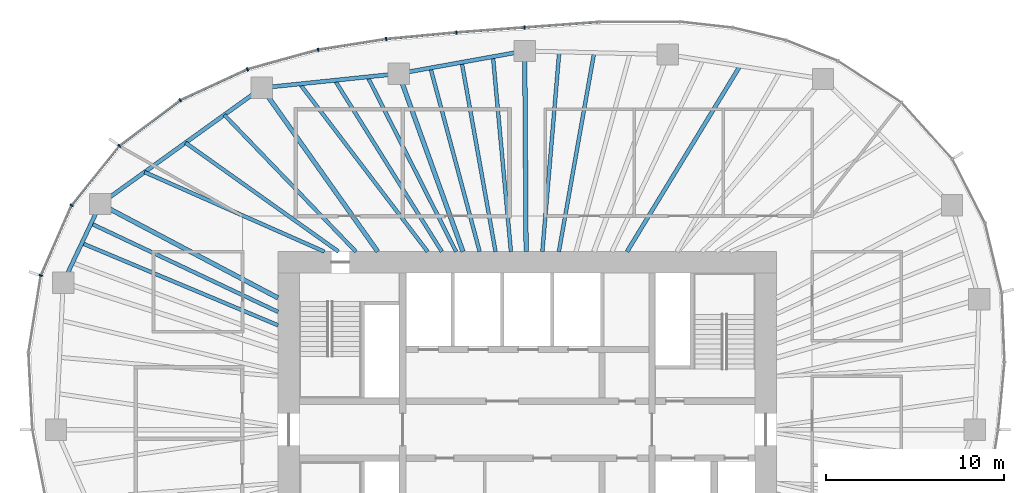
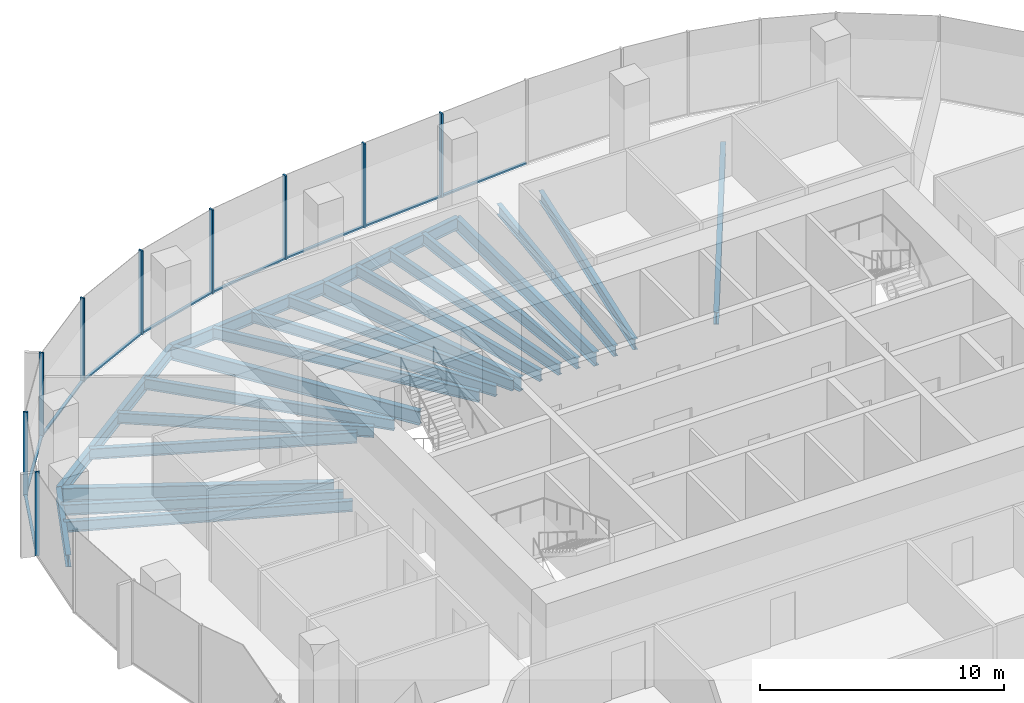
# One storey, part 5 of 11: 22 beams, 18 members, 6 elements without a shape of their own.
"""IFC4 building model written with IfcOpenShell, lengths in metres."""

from ifc_helpers import new_model, si_unit, direction, frame, origin, origin_2d, place, context, subcontext, project, spatial, rectangle, i_section, extrude, material, material_profile, profile_set, type_object, element, aggregate, save


model = new_model("IFC4")

# Units and contexts
model_context = context("Model", 3, precision=1e-05, world=origin(), true_north=direction((0.0, 1.0)))
body_context = subcontext(model_context, "Body", "Model", "MODEL_VIEW")
ifc_project = project(units=[si_unit("LENGTHUNIT", "METRE"), si_unit("AREAUNIT", "SQUARE_METRE"), si_unit("VOLUMEUNIT", "CUBIC_METRE"), si_unit("PLANEANGLEUNIT", "RADIAN"), si_unit("MASSUNIT", "GRAM", prefix="KILO")], contexts=[model_context])

# Site, building, storey
site_placement = place(None, origin())
site = spatial("IfcSite", under=ifc_project, at=site_placement, CompositionType="ELEMENT")
building_placement = place(site_placement, origin())
building = spatial("IfcBuilding", under=site, at=building_placement, Name="Ghaith Harvest Tower", CompositionType="ELEMENT")
storey_placement = place(building_placement, frame((0.0, 0.0, 241.0)))
storey = spatial("IfcBuildingStorey", under=building, at=storey_placement, Name="L53", CompositionType="ELEMENT", Elevation=241.0)

# Curtain wall, members
ifc_material_1 = material(Name="Black anodised aluminium and fritted glass", Category="aluminium")
curtain_wall_type = type_object("IfcCurtainWallType", Name="CW-H CURTAIN WALL", PredefinedType="NOTDEFINED", material=ifc_material_1)
curtain_wall_1_placement = place(storey_placement, origin())
curtain_wall_1 = element("IfcCurtainWall", 1, at=curtain_wall_1_placement, inside=storey, type_object=curtain_wall_type, Name="Curtain wall CW-H bay 06 L53", PredefinedType="NOTDEFINED")
ifc_material_2 = material(Name="Aluminium, black anodised", Category="aluminium")
ifc_material_profile_1 = material_profile(ifc_material_2, rectangle(XDim=0.080078125, YDim=0.199951171875, at=origin_2d()), Name="CW-H MULLION 80x200")
ifc_profile_set_1 = profile_set([ifc_material_profile_1], Name="Aluminium, black anodised")
member_type_1 = type_object("IfcMemberType", Name="CW-H MULLION 80x200", PredefinedType="MULLION", material=ifc_profile_set_1)
member_1_placement = place(storey_placement, frame((-0.154541015625, 22.590576171875, 0.0), z_axis=(0.0, 0.0, 1.0), x_axis=(-0.997329249665, -0.073036756239, 0.0)))
member_1 = element("IfcMember", 2, at=member_1_placement, type_object=member_type_1, Name="CW-H mullion 1 bay 06 L53", PredefinedType="MULLION", context=body_context, shape_type="SweptSolid", body=[
    extrude(rectangle(XDim=0.080078125, YDim=0.199951171875, at=origin_2d()), origin(), (0.0, 0.0, 1.0), 4.199951171875),
])
member_2_placement = place(storey_placement, frame((-3.984375, 22.310302734375, 0.0), z_axis=(0.0, 0.0, 1.0), x_axis=(-0.996522526822, -0.083323787336, 0.0)))
member_2 = element("IfcMember", 3, at=member_2_placement, type_object=member_type_1, Name="CW-H mullion 2 bay 06 L53", PredefinedType="MULLION", context=body_context, shape_type="SweptSolid", body=[
    extrude(rectangle(XDim=0.080078125, YDim=0.199951171875, at=origin_2d()), origin(), (0.0, 0.0, 1.0), 4.199951171875),
])

curtain_wall_2_placement = place(storey_placement, origin())
curtain_wall_2 = element("IfcCurtainWall", 4, at=curtain_wall_2_placement, inside=storey, type_object=curtain_wall_type, Name="Curtain wall CW-H bay 07 L53", PredefinedType="NOTDEFINED")
member_3_placement = place(storey_placement, frame((-7.924560546875, 21.94091796875, 0.0), z_axis=(0.0, 0.0, 1.0), x_axis=(-0.992235485325, -0.124373396119, 0.0)))
member_3 = element("IfcMember", 5, at=member_3_placement, type_object=member_type_1, Name="CW-H mullion 1 bay 07 L53", PredefinedType="MULLION", context=body_context, shape_type="SweptSolid", body=[
    extrude(rectangle(XDim=0.080078125, YDim=0.199951171875, at=origin_2d()), origin(), (0.0, 0.0, 1.0), 4.199951171875),
])
member_4_placement = place(storey_placement, frame((-11.75244140625, 21.336669921875, 0.0), z_axis=(0.0, 0.0, 1.0), x_axis=(-0.977086484172, -0.212842670646, 0.0)))
member_4 = element("IfcMember", 6, at=member_4_placement, type_object=member_type_1, Name="CW-H mullion 2 bay 07 L53", PredefinedType="MULLION", context=body_context, shape_type="SweptSolid", body=[
    extrude(rectangle(XDim=0.080078125, YDim=0.199951171875, at=origin_2d()), origin(), (0.0, 0.0, 1.0), 4.199951171875),
])

curtain_wall_3_placement = place(storey_placement, origin())
curtain_wall_3 = element("IfcCurtainWall", 7, at=curtain_wall_3_placement, inside=storey, type_object=curtain_wall_type, Name="Curtain wall CW-H bay 08 L53", PredefinedType="NOTDEFINED")
member_5_placement = place(storey_placement, frame((-15.720947265625, 20.242431640625, 0.0), z_axis=(0.0, 0.0, 1.0), x_axis=(-0.938930986476, -0.344105510906, 0.0)))
member_5 = element("IfcMember", 8, at=member_5_placement, type_object=member_type_1, Name="CW-H mullion 1 bay 08 L53", PredefinedType="MULLION", context=body_context, shape_type="SweptSolid", body=[
    extrude(rectangle(XDim=0.080078125, YDim=0.199951171875, at=origin_2d()), origin(), (0.0, 0.0, 1.0), 4.199951171875),
])
member_6_placement = place(storey_placement, frame((-19.4951171875, 18.4990234375, 0.0), z_axis=(0.0, 0.0, 1.0), x_axis=(-0.857998754004, -0.513651767376, 0.0)))
member_6 = element("IfcMember", 9, at=member_6_placement, type_object=member_type_1, Name="CW-H mullion 2 bay 08 L53", PredefinedType="MULLION", context=body_context, shape_type="SweptSolid", body=[
    extrude(rectangle(XDim=0.080078125, YDim=0.199951171875, at=origin_2d()), origin(), (0.0, 0.0, 1.0), 4.199951171875),
])

curtain_wall_4_placement = place(storey_placement, origin())
curtain_wall_4 = element("IfcCurtainWall", 10, at=curtain_wall_4_placement, inside=storey, type_object=curtain_wall_type, Name="Curtain wall CW-H bay 09 L53", PredefinedType="NOTDEFINED")
member_7_placement = place(storey_placement, frame((-22.908203125, 15.939697265625, 0.0), z_axis=(0.0, 0.0, 1.0), x_axis=(-0.719146135082, -0.694858860774, 0.0)))
member_7 = element("IfcMember", 11, at=member_7_placement, type_object=member_type_1, Name="CW-H mullion 1 bay 09 L53", PredefinedType="MULLION", context=body_context, shape_type="SweptSolid", body=[
    extrude(rectangle(XDim=0.080078125, YDim=0.199951171875, at=origin_2d()), origin(), (0.0, 0.0, 1.0), 4.199951171875),
])
member_8_placement = place(storey_placement, frame((-25.599609375, 12.6005859375, 0.0), z_axis=(0.0, 0.0, 1.0), x_axis=(-0.518769201232, -0.854914332464, 0.0)))
member_8 = element("IfcMember", 12, at=member_8_placement, type_object=member_type_1, Name="CW-H mullion 2 bay 09 L53", PredefinedType="MULLION", context=body_context, shape_type="SweptSolid", body=[
    extrude(rectangle(XDim=0.080078125, YDim=0.199951171875, at=origin_2d()), origin(), (0.0, 0.0, 1.0), 4.199951171875),
])

# Curtain wall, member
curtain_wall_5_placement = place(storey_placement, origin())
curtain_wall_5 = element("IfcCurtainWall", 13, at=curtain_wall_5_placement, inside=storey, type_object=curtain_wall_type, Name="Curtain wall CW-H bay 10 L53", PredefinedType="NOTDEFINED")
member_9_placement = place(storey_placement, frame((-27.32568359375, 8.659912109375, 0.0), z_axis=(0.0, 0.0, 1.0), x_axis=(-0.280520268431, -0.959848102045, 0.0)))
member_9 = element("IfcMember", 14, at=member_9_placement, type_object=member_type_1, Name="CW-H mullion 1 bay 10 L53", PredefinedType="MULLION", context=body_context, shape_type="SweptSolid", body=[
    extrude(rectangle(XDim=0.080078125, YDim=0.199951171875, at=origin_2d()), origin(), (0.0, 0.0, 1.0), 4.199951171875),
])
aggregate(curtain_wall_5, [member_9])

curtain_wall_6_placement = place(storey_placement, origin())
curtain_wall_6 = element("IfcCurtainWall", 15, at=curtain_wall_6_placement, inside=storey, type_object=curtain_wall_type, Name="Curtain wall CW-H bay 05 L53", PredefinedType="NOTDEFINED")
ifc_material_3 = material(Name="Aluminium, black anodised", Category="aluminium")
ifc_material_profile_2 = material_profile(ifc_material_3, rectangle(XDim=0.1298828125, YDim=0.080078125, at=origin_2d()), Name="CW-H TRANSOM 130x80")
ifc_profile_set_2 = profile_set([ifc_material_profile_2], Name="Aluminium, black anodised")
member_type_2 = type_object("IfcMemberType", Name="CW-H TRANSOM 130x80", PredefinedType="USERDEFINED", material=ifc_profile_set_2)
member_10_placement = place(storey_placement, frame((4.01953125, 22.896484375, 0.0400390625), z_axis=(-0.997325457985, -0.07308851384, 0.0), x_axis=(0.07308851384, -0.997325457985, 0.0)))
member_10 = element("IfcMember", 16, at=member_10_placement, type_object=member_type_2, Name="CW-H transom 2 bay 05 L53", ObjectType="TRANSOM", PredefinedType="USERDEFINED", context=body_context, shape_type="SweptSolid", body=[
    extrude(rectangle(XDim=0.1298828125, YDim=0.080078125, at=origin_2d()), origin(), (0.0, 0.0, 1.0), 4.145263671875),
])
aggregate(curtain_wall_6, [member_10])

# Member
member_11_placement = place(storey_placement, frame((-0.194580078125, 22.587646484375, 0.0400390625), z_axis=(-0.997332916649, -0.072986665689, 0.0), x_axis=(0.072986665689, -0.997332916649, 0.0)))
member_11 = element("IfcMember", 17, at=member_11_placement, type_object=member_type_2, Name="CW-H transom 1 bay 06 L53", ObjectType="TRANSOM", PredefinedType="USERDEFINED", context=body_context, shape_type="SweptSolid", body=[
    extrude(rectangle(XDim=0.1298828125, YDim=0.080078125, at=origin_2d()), origin(), (0.0, 0.0, 1.0), 3.759765625),
])

member_12_placement = place(storey_placement, frame((-4.024169921875, 22.306640625, 0.0400390625), z_axis=(-0.995631116984, -0.093373866217, 0.0), x_axis=(0.093373866217, -0.995631116984, 0.0)))
member_12 = element("IfcMember", 18, at=member_12_placement, type_object=member_type_2, Name="CW-H transom 2 bay 06 L53", ObjectType="TRANSOM", PredefinedType="USERDEFINED", context=body_context, shape_type="SweptSolid", body=[
    extrude(rectangle(XDim=0.1298828125, YDim=0.080078125, at=origin_2d()), origin(), (0.0, 0.0, 1.0), 3.87744140625),
])

aggregate(curtain_wall_1, [member_1, member_11, member_2, member_12])

member_13_placement = place(storey_placement, frame((-7.964111328125, 21.9345703125, 0.0400390625), z_axis=(-0.98776765914, -0.155932843097, 0.0), x_axis=(0.155932843097, -0.98776765914, 0.0)))
member_13 = element("IfcMember", 19, at=member_13_placement, type_object=member_type_2, Name="CW-H transom 1 bay 07 L53", ObjectType="TRANSOM", PredefinedType="USERDEFINED", context=body_context, shape_type="SweptSolid", body=[
    extrude(rectangle(XDim=0.1298828125, YDim=0.080078125, at=origin_2d()), origin(), (0.0, 0.0, 1.0), 3.795166015625),
])

member_14_placement = place(storey_placement, frame((-11.791015625, 21.325927734375, 0.0400390625), z_axis=(-0.964038584245, -0.265762315024, 0.0), x_axis=(0.265762315024, -0.964038584245, 0.0)))
member_14 = element("IfcMember", 20, at=member_14_placement, type_object=member_type_2, Name="CW-H transom 2 bay 07 L53", ObjectType="TRANSOM", PredefinedType="USERDEFINED", context=body_context, shape_type="SweptSolid", body=[
    extrude(rectangle(XDim=0.1298828125, YDim=0.080078125, at=origin_2d()), origin(), (0.0, 0.0, 1.0), 4.03662109375),
])

aggregate(curtain_wall_2, [member_3, member_13, member_4, member_14])

member_15_placement = place(storey_placement, frame((-15.75732421875, 20.2255859375, 0.0400390625), z_axis=(-0.907831404762, -0.419335355686, 0.0), x_axis=(0.419335355686, -0.907831404762, 0.0)))
member_15 = element("IfcMember", 21, at=member_15_placement, type_object=member_type_2, Name="CW-H transom 1 bay 08 L53", ObjectType="TRANSOM", PredefinedType="USERDEFINED", context=body_context, shape_type="SweptSolid", body=[
    extrude(rectangle(XDim=0.1298828125, YDim=0.080078125, at=origin_2d()), origin(), (0.0, 0.0, 1.0), 4.0771484375),
])

member_16_placement = place(storey_placement, frame((-19.527099609375, 18.47509765625, 0.0400390625), z_axis=(-0.800041988873, -0.599944010755, 0.0), x_axis=(0.599944010755, -0.800041988873, 0.0)))
member_16 = element("IfcMember", 22, at=member_16_placement, type_object=member_type_2, Name="CW-H transom 2 bay 08 L53", ObjectType="TRANSOM", PredefinedType="USERDEFINED", context=body_context, shape_type="SweptSolid", body=[
    extrude(rectangle(XDim=0.1298828125, YDim=0.080078125, at=origin_2d()), origin(), (0.0, 0.0, 1.0), 4.186279296875),
])

aggregate(curtain_wall_3, [member_5, member_15, member_6, member_16])

member_17_placement = place(storey_placement, frame((-22.933349609375, 15.90869140625, 0.0400390625), z_axis=(-0.6275347306, -0.778588570357, 0.0), x_axis=(0.778588570357, -0.6275347306, 0.0)))
member_17 = element("IfcMember", 23, at=member_17_placement, type_object=member_type_2, Name="CW-H transom 1 bay 09 L53", ObjectType="TRANSOM", PredefinedType="USERDEFINED", context=body_context, shape_type="SweptSolid", body=[
    extrude(rectangle(XDim=0.1298828125, YDim=0.080078125, at=origin_2d()), origin(), (0.0, 0.0, 1.0), 4.208740234375),
])

member_18_placement = place(storey_placement, frame((-25.61572265625, 12.56396484375, 0.0400390625), z_axis=(-0.401185844746, -0.915996680112, 0.0), x_axis=(0.915996680112, -0.401185844746, 0.0)))
member_18 = element("IfcMember", 24, at=member_18_placement, type_object=member_type_2, Name="CW-H transom 2 bay 09 L53", ObjectType="TRANSOM", PredefinedType="USERDEFINED", context=body_context, shape_type="SweptSolid", body=[
    extrude(rectangle(XDim=0.1298828125, YDim=0.080078125, at=origin_2d()), origin(), (0.0, 0.0, 1.0), 4.22216796875),
])

aggregate(curtain_wall_4, [member_7, member_17, member_8, member_18])

# Beams
ifc_material_4 = material(Name="Steel ASTM A992 Grade 50", Category="steel")
ifc_material_profile_3 = material_profile(ifc_material_4, i_section(OverallWidth=0.22900390625, OverallDepth=0.612060546875, WebThickness=0.011962890625, FlangeThickness=0.01953125, at=origin_2d()), Name="W610X125")
ifc_profile_set_3 = profile_set([ifc_material_profile_3], Name="Steel ASTM A992 Grade 50")
beam_type_1 = type_object("IfcBeamType", Name="E610-125 W610X125", PredefinedType="SPANDREL", material=ifc_profile_set_3)
beam_1_placement = place(storey_placement, frame((-0.14599609375, 21.27099609375, -0.47607421875), z_axis=(-0.984177047684, -0.177187863051, 0.0), x_axis=(0.177187863051, -0.984177047684, 0.0)))
element("IfcBeam", 25, at=beam_1_placement, inside=storey, type_object=beam_type_1, Name="Edge beam E06 L53", PredefinedType="SPANDREL", context=body_context, shape_type="SweptSolid", body=[
    extrude(i_section(OverallWidth=0.22900390625, OverallDepth=0.612060546875, WebThickness=0.011962890625, FlangeThickness=0.01953125, at=origin_2d()), origin(), (0.0, 0.0, 1.0), 7.189697265625),
])
beam_2_placement = place(storey_placement, frame((-7.221923828125, 19.9970703125, -0.47607421875), z_axis=(-0.994669141618, -0.103117887451, 0.0), x_axis=(0.103117887451, -0.994669141618, 0.0)))
element("IfcBeam", 26, at=beam_2_placement, inside=storey, type_object=beam_type_1, Name="Edge beam E07 L53", PredefinedType="SPANDREL", context=body_context, shape_type="SweptSolid", body=[
    extrude(i_section(OverallWidth=0.22900390625, OverallDepth=0.612060546875, WebThickness=0.011962890625, FlangeThickness=0.01953125, at=origin_2d()), origin(), (0.0, 0.0, 1.0), 7.730224609375),
])
beam_3_placement = place(storey_placement, frame((-14.910888671875, 19.199951171875, -0.47607421875), z_axis=(-0.812050311838, -0.583587432219, 0.0), x_axis=(0.583587432219, -0.812050311838, 0.0)))
element("IfcBeam", 27, at=beam_3_placement, inside=storey, type_object=beam_type_1, Name="Edge beam E08 L53", PredefinedType="SPANDREL", context=body_context, shape_type="SweptSolid", body=[
    extrude(i_section(OverallWidth=0.22900390625, OverallDepth=0.612060546875, WebThickness=0.011962890625, FlangeThickness=0.01953125, at=origin_2d()), origin(), (0.0, 0.0, 1.0), 11.175537109375),
])
beam_4_placement = place(storey_placement, frame((-23.986083984375, 12.677978515625, -0.47607421875), z_axis=(-0.426170247297, -0.904642979478, 0.0), x_axis=(0.904642979478, -0.426170247297, 0.0)))
element("IfcBeam", 28, at=beam_4_placement, inside=storey, type_object=beam_type_1, Name="Edge beam E09 L53", PredefinedType="SPANDREL", context=body_context, shape_type="SweptSolid", body=[
    extrude(i_section(OverallWidth=0.22900390625, OverallDepth=0.612060546875, WebThickness=0.011962890625, FlangeThickness=0.01953125, at=origin_2d()), origin(), (0.0, 0.0, 1.0), 4.882568359375),
])
ifc_material_5 = material(Name="Steel ASTM A992 Grade 50", Category="steel")
ifc_material_profile_4 = material_profile(ifc_material_5, i_section(OverallWidth=0.256103515625, OverallDepth=0.693115234375, WebThickness=0.014404296875, FlangeThickness=0.023681640625, at=origin_2d()), Name="W690X170")
ifc_profile_set_4 = profile_set([ifc_material_profile_4], Name="Steel ASTM A992 Grade 50")
beam_type_2 = type_object("IfcBeamType", Name="G690-170 W690X170", PredefinedType="BEAM", material=ifc_profile_set_4)
beam_5_placement = place(storey_placement, frame((-0.068359375, 10.0, -0.5166015625), z_axis=(-0.006888022705, 0.99997627729, 0.0), x_axis=(-0.99997627729, -0.006888022705, 0.0)))
element("IfcBeam", 29, at=beam_5_placement, inside=storey, type_object=beam_type_2, Name="Radial girder G06 L53", PredefinedType="BEAM", context=body_context, shape_type="SweptSolid", body=[
    extrude(i_section(OverallWidth=0.256103515625, OverallDepth=0.693115234375, WebThickness=0.014404296875, FlangeThickness=0.023681640625, at=origin_2d()), origin(), (0.0, 0.0, 1.0), 11.271240234375),
])
beam_6_placement = place(storey_placement, frame((-3.61181640625, 10.0, -0.5166015625), z_axis=(-0.339648979266, 0.940552269086, 0.0), x_axis=(-0.940552269086, -0.339648979266, 0.0)))
element("IfcBeam", 30, at=beam_6_placement, inside=storey, type_object=beam_type_2, Name="Radial girder G07 L53", PredefinedType="BEAM", context=body_context, shape_type="SweptSolid", body=[
    extrude(i_section(OverallWidth=0.256103515625, OverallDepth=0.693115234375, WebThickness=0.014404296875, FlangeThickness=0.023681640625, at=origin_2d()), origin(), (0.0, 0.0, 1.0), 10.62890625),
])
beam_7_placement = place(storey_placement, frame((-8.39990234375, 10.0, -0.5166015625), z_axis=(-0.577683734365, 0.816260683268, 0.0), x_axis=(-0.816260683268, -0.577683734365, 0.0)))
element("IfcBeam", 31, at=beam_7_placement, inside=storey, type_object=beam_type_2, Name="Radial girder G08 L53", PredefinedType="BEAM", context=body_context, shape_type="SweptSolid", body=[
    extrude(i_section(OverallWidth=0.256103515625, OverallDepth=0.693115234375, WebThickness=0.014404296875, FlangeThickness=0.023681640625, at=origin_2d()), origin(), (0.0, 0.0, 1.0), 11.270751953125),
])
beam_8_placement = place(storey_placement, frame((-14.0, 7.39990234375, -0.5166015625), z_axis=(-0.884105273337, 0.467287776062, 0.0), x_axis=(-0.467287776062, -0.884105273337, 0.0)))
element("IfcBeam", 32, at=beam_8_placement, inside=storey, type_object=beam_type_2, Name="Radial girder G09 L53", PredefinedType="BEAM", context=body_context, shape_type="SweptSolid", body=[
    extrude(i_section(OverallWidth=0.256103515625, OverallDepth=0.693115234375, WebThickness=0.014404296875, FlangeThickness=0.023681640625, at=origin_2d()), origin(), (0.0, 0.0, 1.0), 11.295166015625),
])
ifc_material_6 = material(Name="Steel ASTM A992 Grade 50", Category="steel")
ifc_material_profile_5 = material_profile(ifc_material_6, i_section(OverallWidth=0.2109375, OverallDepth=0.5390625, WebThickness=0.01171875, FlangeThickness=0.018798828125, at=origin_2d()), Name="W530X109")
ifc_profile_set_5 = profile_set([ifc_material_profile_5], Name="Steel ASTM A992 Grade 50")
beam_type_3 = type_object("IfcBeamType", Name="J530-109 W530X109", PredefinedType="JOIST", material=ifc_profile_set_5)
beam_9_placement = place(storey_placement, frame((1.772705078125, 10.0, -0.439453125), z_axis=(0.17455599258, 0.984647249249, 0.0), x_axis=(-0.984647249249, 0.17455599258, 0.0)))
element("IfcBeam", 33, at=beam_9_placement, inside=storey, type_object=beam_type_3, Name="Joist J05.2 L53", PredefinedType="JOIST", context=body_context, shape_type="SweptSolid", body=[
    extrude(i_section(OverallWidth=0.2109375, OverallDepth=0.5390625, WebThickness=0.01171875, FlangeThickness=0.018798828125, at=origin_2d()), origin(), (0.0, 0.0, 1.0), 11.3486328125),
])
beam_10_placement = place(storey_placement, frame((0.844970703125, 10.0, -0.439453125), z_axis=(0.084213263804, 0.996447753873, 0.0), x_axis=(-0.996447753873, 0.084213263804, 0.0)))
element("IfcBeam", 34, at=beam_10_placement, inside=storey, type_object=beam_type_3, Name="Joist J05.3 L53", PredefinedType="JOIST", context=body_context, shape_type="SweptSolid", body=[
    extrude(i_section(OverallWidth=0.2109375, OverallDepth=0.5390625, WebThickness=0.01171875, FlangeThickness=0.018798828125, at=origin_2d()), origin(), (0.0, 0.0, 1.0), 11.262939453125),
])
beam_11_placement = place(storey_placement, frame((-0.92041015625, 10.0, -0.439453125), z_axis=(-0.091648687045, 0.995791402937, 0.0), x_axis=(-0.995791402937, -0.091648687045, 0.0)))
element("IfcBeam", 35, at=beam_11_placement, inside=storey, type_object=beam_type_3, Name="Joist J06.1 L53", PredefinedType="JOIST", context=body_context, shape_type="SweptSolid", body=[
    extrude(i_section(OverallWidth=0.2109375, OverallDepth=0.5390625, WebThickness=0.01171875, FlangeThickness=0.018798828125, at=origin_2d()), origin(), (0.0, 0.0, 1.0), 10.99658203125),
])
beam_12_placement = place(storey_placement, frame((-1.785888671875, 10.0, -0.439453125), z_axis=(-0.175793767479, 0.984427016754, 0.0), x_axis=(-0.984427016754, -0.175793767479, 0.0)))
element("IfcBeam", 36, at=beam_12_placement, inside=storey, type_object=beam_type_3, Name="Joist J06.2 L53", PredefinedType="JOIST", context=body_context, shape_type="SweptSolid", body=[
    extrude(i_section(OverallWidth=0.2109375, OverallDepth=0.5390625, WebThickness=0.01171875, FlangeThickness=0.018798828125, at=origin_2d()), origin(), (0.0, 0.0, 1.0), 10.802001953125),
])
beam_13_placement = place(storey_placement, frame((-2.677978515625, 10.0, -0.439453125), z_axis=(-0.258674007994, 0.965964677195, 0.0), x_axis=(-0.965964677195, -0.258674007994, 0.0)))
element("IfcBeam", 37, at=beam_13_placement, inside=storey, type_object=beam_type_3, Name="Joist J06.3 L53", PredefinedType="JOIST", context=body_context, shape_type="SweptSolid", body=[
    extrude(i_section(OverallWidth=0.2109375, OverallDepth=0.5390625, WebThickness=0.01171875, FlangeThickness=0.018798828125, at=origin_2d()), origin(), (0.0, 0.0, 1.0), 10.68115234375),
])
beam_14_placement = place(storey_placement, frame((-4.0, 10.0, -0.439453125), z_axis=(-0.451646219201, 0.892197115374, 0.0), x_axis=(-0.892197115374, -0.451646219201, 0.0)))
element("IfcBeam", 38, at=beam_14_placement, inside=storey, type_object=beam_type_3, Name="Joist J07.1 L53", PredefinedType="JOIST", context=body_context, shape_type="SweptSolid", body=[
    extrude(i_section(OverallWidth=0.2109375, OverallDepth=0.5390625, WebThickness=0.01171875, FlangeThickness=0.018798828125, at=origin_2d()), origin(), (0.0, 0.0, 1.0), 11.001953125),
])
beam_15_placement = place(storey_placement, frame((-4.800048828125, 10.0, -0.439453125), z_axis=(-0.529627564093, 0.848230300893, 0.0), x_axis=(-0.848230300893, -0.529627564093, 0.0)))
element("IfcBeam", 39, at=beam_15_placement, inside=storey, type_object=beam_type_3, Name="Joist J07.2 L53", PredefinedType="JOIST", context=body_context, shape_type="SweptSolid", body=[
    extrude(i_section(OverallWidth=0.2109375, OverallDepth=0.5390625, WebThickness=0.01171875, FlangeThickness=0.018798828125, at=origin_2d()), origin(), (0.0, 0.0, 1.0), 11.34716796875),
])
beam_16_placement = place(storey_placement, frame((-5.60009765625, 10.0, -0.439453125), z_axis=(-0.605976135502, 0.795482823952, 0.0), x_axis=(-0.795482823952, -0.605976135502, 0.0)))
element("IfcBeam", 40, at=beam_16_placement, inside=storey, type_object=beam_type_3, Name="Joist J07.3 L53", PredefinedType="JOIST", context=body_context, shape_type="SweptSolid", body=[
    extrude(i_section(OverallWidth=0.2109375, OverallDepth=0.5390625, WebThickness=0.01171875, FlangeThickness=0.018798828125, at=origin_2d()), origin(), (0.0, 0.0, 1.0), 11.84326171875),
])
beam_17_placement = place(storey_placement, frame((-9.626708984375, 10.0, -0.439453125), z_axis=(-0.69354049188, 0.720417647009, 0.0), x_axis=(-0.720417647009, -0.69354049188, 0.0)))
element("IfcBeam", 41, at=beam_17_placement, inside=storey, type_object=beam_type_3, Name="Joist J08.1 L53", PredefinedType="JOIST", context=body_context, shape_type="SweptSolid", body=[
    extrude(i_section(OverallWidth=0.2109375, OverallDepth=0.5390625, WebThickness=0.01171875, FlangeThickness=0.018798828125, at=origin_2d()), origin(), (0.0, 0.0, 1.0), 10.6640625),
])
beam_18_placement = place(storey_placement, frame((-10.60009765625, 10.0, -0.439453125), z_axis=(-0.814837070547, 0.579690045164, 0.0), x_axis=(-0.579690045164, -0.814837070547, 0.0)))
element("IfcBeam", 42, at=beam_18_placement, inside=storey, type_object=beam_type_3, Name="Joist J08.2 L53", PredefinedType="JOIST", context=body_context, shape_type="SweptSolid", body=[
    extrude(i_section(OverallWidth=0.2109375, OverallDepth=0.5390625, WebThickness=0.01171875, FlangeThickness=0.018798828125, at=origin_2d()), origin(), (0.0, 0.0, 1.0), 10.5537109375),
])
beam_19_placement = place(storey_placement, frame((-11.39990234375, 10.0, -0.439453125), z_axis=(-0.914561290029, 0.40444733499, 0.0), x_axis=(-0.40444733499, -0.914561290029, 0.0)))
element("IfcBeam", 43, at=beam_19_placement, inside=storey, type_object=beam_type_3, Name="Joist J08.3 L53", PredefinedType="JOIST", context=body_context, shape_type="SweptSolid", body=[
    extrude(i_section(OverallWidth=0.2109375, OverallDepth=0.5390625, WebThickness=0.01171875, FlangeThickness=0.018798828125, at=origin_2d()), origin(), (0.0, 0.0, 1.0), 11.041748046875),
])
beam_20_placement = place(storey_placement, frame((-14.0, 6.614990234375, -0.439453125), z_axis=(-0.904154184779, 0.427206285238, 0.0), x_axis=(-0.427206285238, -0.904154184779, 0.0)))
element("IfcBeam", 44, at=beam_20_placement, inside=storey, type_object=beam_type_3, Name="Joist J09.1 L53", PredefinedType="JOIST", context=body_context, shape_type="SweptSolid", body=[
    extrude(i_section(OverallWidth=0.2109375, OverallDepth=0.5390625, WebThickness=0.01171875, FlangeThickness=0.018798828125, at=origin_2d()), origin(), (0.0, 0.0, 1.0), 11.61767578125),
])
beam_21_placement = place(storey_placement, frame((-14.0, 5.862548828125, -0.439453125), z_axis=(-0.922380898158, 0.386281605455, 0.0), x_axis=(-0.386281605455, -0.922380898158, 0.0)))
element("IfcBeam", 45, at=beam_21_placement, inside=storey, type_object=beam_type_3, Name="Joist J09.2 L53", PredefinedType="JOIST", context=body_context, shape_type="SweptSolid", body=[
    extrude(i_section(OverallWidth=0.2109375, OverallDepth=0.5390625, WebThickness=0.01171875, FlangeThickness=0.018798828125, at=origin_2d()), origin(), (0.0, 0.0, 1.0), 11.94970703125),
])
ifc_material_7 = material(Name="Steel ASTM A992 Grade 50", Category="steel")
ifc_material_profile_6 = material_profile(ifc_material_7, i_section(OverallWidth=0.22900390625, OverallDepth=0.612060546875, WebThickness=0.011962890625, FlangeThickness=0.01953125, at=origin_2d()), Name="W610X125")
ifc_profile_set_6 = profile_set([ifc_material_profile_6], Name="Steel ASTM A992 Grade 50")
beam_type_4 = type_object("IfcBeamType", Name="J610-125 W610X125", PredefinedType="JOIST", material=ifc_profile_set_6)
beam_22_placement = place(storey_placement, frame((5.60009765625, 10.0, -0.47607421875), z_axis=(0.519863845761, 0.854249133374, 0.0), x_axis=(-0.854249133374, 0.519863845761, 0.0)))
element("IfcBeam", 46, at=beam_22_placement, inside=storey, type_object=beam_type_4, Name="Joist J04.2 L53", PredefinedType="JOIST", context=body_context, shape_type="SweptSolid", body=[
    extrude(i_section(OverallWidth=0.22900390625, OverallDepth=0.612060546875, WebThickness=0.011962890625, FlangeThickness=0.01953125, at=origin_2d()), origin(), (0.0, 0.0, 1.0), 12.209716796875),
])

save(model, "model.ifc")
